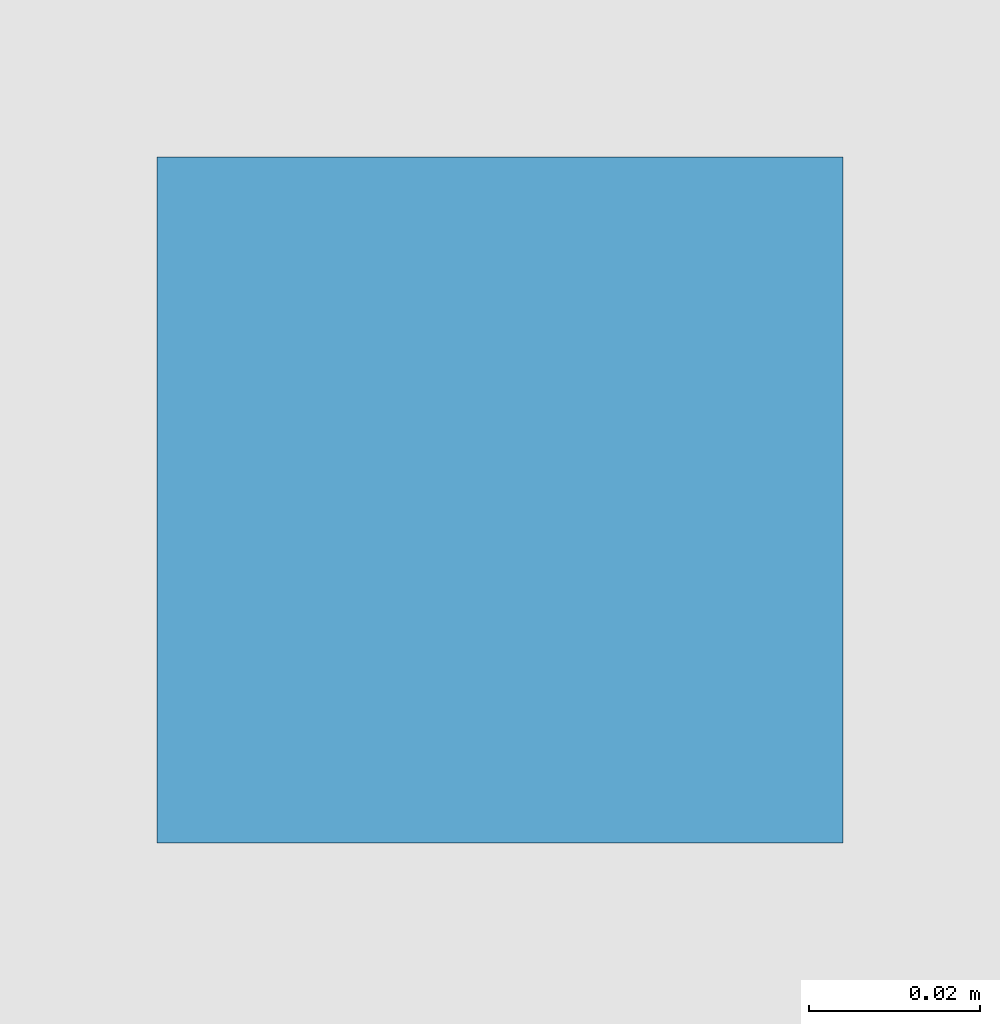
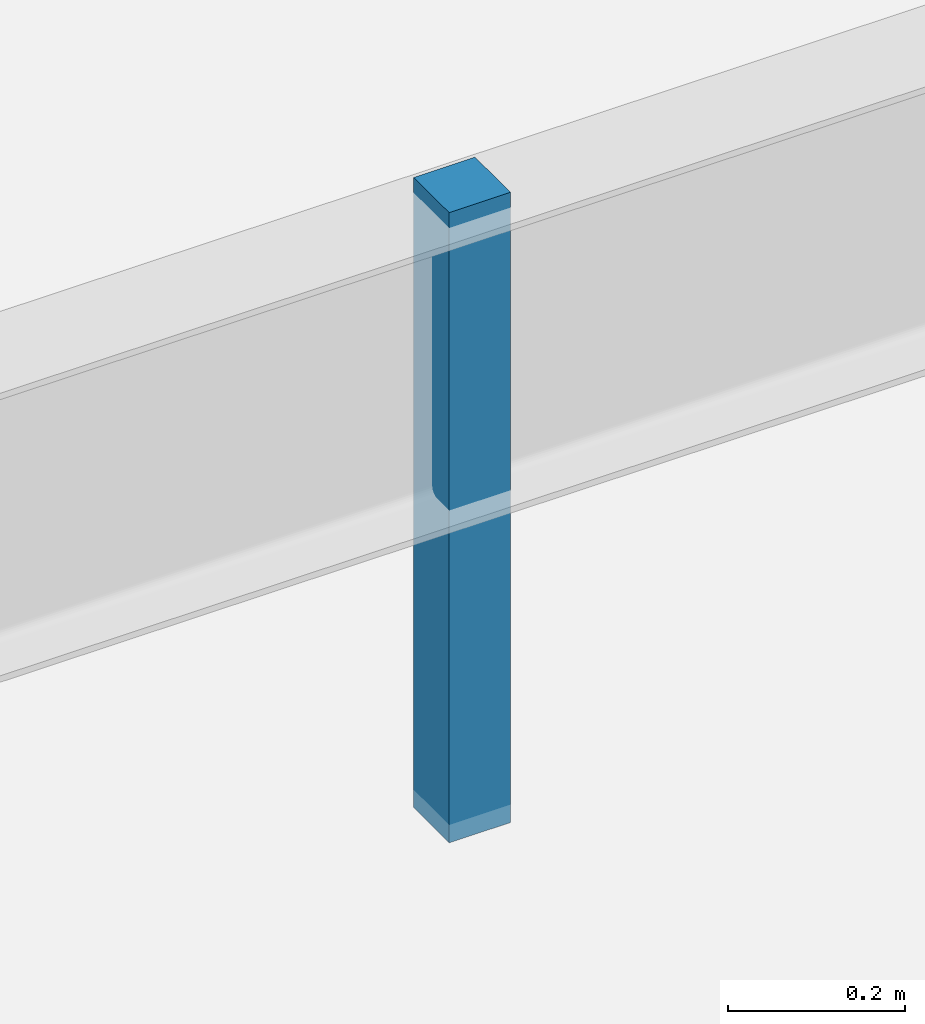
# One storey, part 65 of 75: 1 discrete accessory.
"""IFC4 building model written with IfcOpenShell, lengths in metres."""

from ifc_helpers import new_model, si_unit, direction, frame, origin, origin_2d, place, context, subcontext, project, spatial, rectangle, extrude, material, type_object, element, save


model = new_model("IFC4")

# Units and contexts
model_context = context("Model", 3, precision=1e-05, world=origin(), true_north=direction((0.0, 1.0)))
body_context = subcontext(model_context, "Body", "Model", "MODEL_VIEW")
ifc_project = project(units=[si_unit("LENGTHUNIT", "METRE"), si_unit("AREAUNIT", "SQUARE_METRE"), si_unit("VOLUMEUNIT", "CUBIC_METRE"), si_unit("PLANEANGLEUNIT", "RADIAN"), si_unit("MASSUNIT", "GRAM", prefix="KILO")], contexts=[model_context])

# Site, building, storey
site_placement = place(None, origin())
site = spatial("IfcSite", under=ifc_project, at=site_placement, CompositionType="ELEMENT")
building_placement = place(site_placement, origin())
building = spatial("IfcBuilding", under=site, at=building_placement, Name="Solmirada Galleria", CompositionType="ELEMENT")
storey_placement = place(building_placement, frame((0.0, 0.0, 19.39990234375)))
storey = spatial("IfcBuildingStorey", under=building, at=storey_placement, Name="L04", CompositionType="ELEMENT", Elevation=19.39990234375)

# Discrete accessory
ifc_material = material(Name="Steel S355 / ASTM A992 Grade 50", Category="steel")
discrete_accessory_type = type_object("IfcDiscreteAccessoryType", Name="ACC-CEIL-HANGER", PredefinedType="BRACKET", material=ifc_material)
discrete_accessory_placement = place(storey_placement, frame((140.0, 92.0, 3.449951171875), z_axis=(0.0, 0.0, 1.0), x_axis=(1.0, 0.0, 0.0)))
element("IfcDiscreteAccessory", 1, at=discrete_accessory_placement, inside=storey, type_object=discrete_accessory_type, Name="Ceiling suspension hanger L04-3", PredefinedType="BRACKET", context=body_context, shape_type="SweptSolid", body=[
    extrude(rectangle(XDim=0.080078125, YDim=0.080078125, at=origin_2d()), origin(), (0.0, 0.0, 1.0), 0.8701171875),
])

save(model, "model.ifc")
